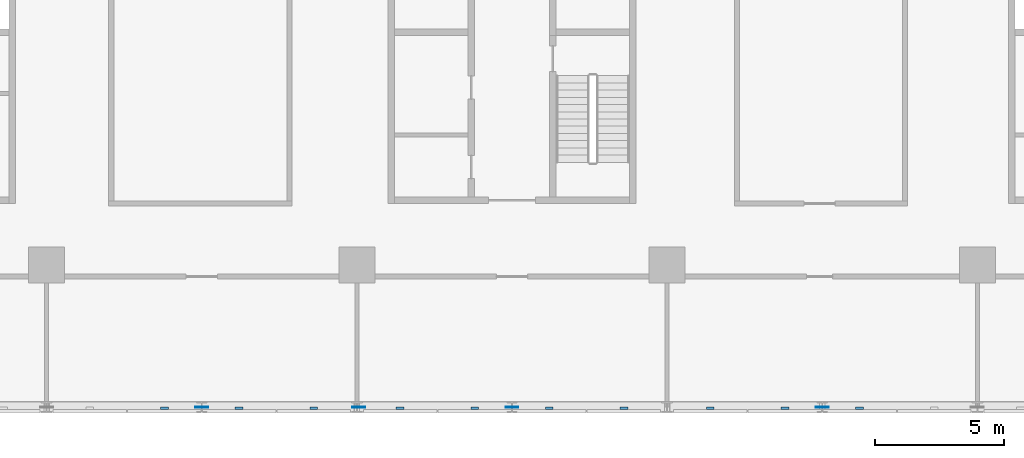
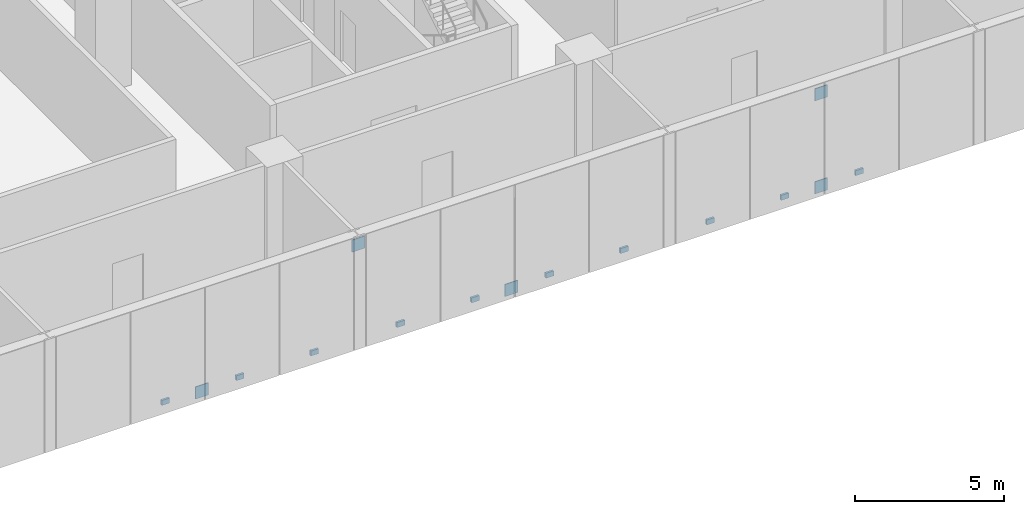
# One storey, part 15 of 26: 15 discrete accessories.
"""IFC4 building model written with IfcOpenShell, lengths in metres."""

from ifc_helpers import new_model, si_unit, direction, frame, origin, origin_2d, place, context, subcontext, project, spatial, rectangle, extrude, material, layer, layer_set, type_object, element, save


model = new_model("IFC4")

# Units and contexts
model_context = context("Model", 3, precision=1e-05, world=origin(), true_north=direction((0.0, 1.0)))
body_context = subcontext(model_context, "Body", "Model", "MODEL_VIEW")
ifc_project = project(units=[si_unit("LENGTHUNIT", "METRE"), si_unit("AREAUNIT", "SQUARE_METRE"), si_unit("VOLUMEUNIT", "CUBIC_METRE"), si_unit("PLANEANGLEUNIT", "RADIAN"), si_unit("MASSUNIT", "GRAM", prefix="KILO")], contexts=[model_context])

# Site, building, storey
site_placement = place(None, origin())
site = spatial("IfcSite", under=ifc_project, at=site_placement, CompositionType="ELEMENT")
building_placement = place(site_placement, origin())
building = spatial("IfcBuilding", under=site, at=building_placement, Name="Mahtab Terrace Research Tower", CompositionType="ELEMENT")
storey_placement = place(building_placement, frame((0.0, 0.0, 117.60009765625)))
storey = spatial("IfcBuildingStorey", under=building, at=storey_placement, Name="L27", CompositionType="ELEMENT", Elevation=117.60009765625)

# Discrete accessories
ifc_material_1 = material(Name="Black anodised aluminium", Category="aluminium")
discrete_accessory_type_1 = type_object("IfcDiscreteAccessoryType", Name="Facade bracket", PredefinedType="BRACKET", material=ifc_material_1)
for number, where, z_axis, x_axis, name in (
    (1, (-13.443115234375, -17.044921875, -0.30029296875), (0.0, 0.0, 1.0), (1.0, 0.0, 0.0), "Louvre bracket L27 81"),
    (2, (-10.556884765625, -17.044921875, -0.30029296875), (0.0, 0.0, 1.0), (1.0, 0.0, 0.0), "Louvre bracket L27 82"),
    (3, (-7.6708984375, -17.044921875, -0.30029296875), (0.0, 0.0, 1.0), (1.0, 0.0, 0.0), "Louvre bracket L27 83"),
    (4, (-4.3291015625, -17.044921875, -0.30029296875), (0.0, 0.0, 1.0), (1.0, 0.0, 0.0), "Louvre bracket L27 84"),
    (5, (-1.443115234375, -17.044921875, -0.30029296875), (0.0, 0.0, 1.0), (1.0, 0.0, 0.0), "Louvre bracket L27 85"),
    (6, (1.443115234375, -17.044921875, -0.30029296875), (0.0, 0.0, 1.0), (1.0, 0.0, 0.0), "Louvre bracket L27 86"),
    (7, (4.3291015625, -17.044921875, -0.30029296875), (0.0, 0.0, 1.0), (1.0, 0.0, 0.0), "Louvre bracket L27 87"),
    (8, (7.6708984375, -17.044921875, -0.30029296875), (0.0, 0.0, 1.0), (1.0, 0.0, 0.0), "Louvre bracket L27 88"),
    (9, (10.556884765625, -17.044921875, -0.30029296875), (0.0, 0.0, 1.0), (1.0, 0.0, 0.0), "Louvre bracket L27 89"),
    (10, (13.443115234375, -17.044921875, -0.30029296875), (0.0, 0.0, 1.0), (1.0, 0.0, 0.0), "Louvre bracket L27 90"),
):
    element("IfcDiscreteAccessory", number, at=place(storey_placement, frame(where, z_axis=z_axis, x_axis=x_axis)), inside=storey, type_object=discrete_accessory_type_1, Name=name, PredefinedType="BRACKET", context=body_context, shape_type="SweptSolid", body=[
        extrude(rectangle(XDim=0.300048828125, YDim=0.090087890625, at=origin_2d()), origin(), (0.0, 0.0, 1.0), 0.199951171875),
    ])
ifc_material_2 = material(Name="Steel ASTM A992 Gr 50", Category="steel")
ifc_layer = layer(ifc_material_2, 0.030029296875)
ifc_layer_set = layer_set([ifc_layer], Name="Gusset plate 500x500x30")
discrete_accessory_type_2 = type_object("IfcDiscreteAccessoryType", Name="Gusset plate 500x500x30", PredefinedType="USERDEFINED", material=ifc_layer_set)
for number, where, z_axis, x_axis, name in (
    (11, (-12.0, -17.0, -0.558837890625), (0.0, 0.0, 1.0), (1.0, 0.0, 0.0), "Gusset plate"),
    (12, (-5.931396484375, -17.0, 3.334716796875), (0.0, 0.0, 1.0), (1.0, 0.0, 0.0), "Gusset plate"),
    (13, (0.0, -17.0, -0.558837890625), (0.0, 0.0, 1.0), (1.0, 0.0, 0.0), "Gusset plate"),
    (14, (12.0, -17.0, -0.558837890625), (0.0, 0.0, 1.0), (1.0, 0.0, 0.0), "Gusset plate"),
    (15, (12.0, -17.0, 3.251220703125), (0.0, 0.0, 1.0), (1.0, 0.0, 0.0), "Gusset plate"),
):
    element("IfcDiscreteAccessory", number, at=place(storey_placement, frame(where, z_axis=z_axis, x_axis=x_axis)), inside=storey, type_object=discrete_accessory_type_2, Name=name, ObjectType="GUSSET PLATE", PredefinedType="USERDEFINED", context=body_context, shape_type="SweptSolid", body=[
        extrude(rectangle(XDim=0.5, YDim=0.030029296875, at=origin_2d()), origin(), (0.0, 0.0, 1.0), 0.5),
    ])

save(model, "model.ifc")
